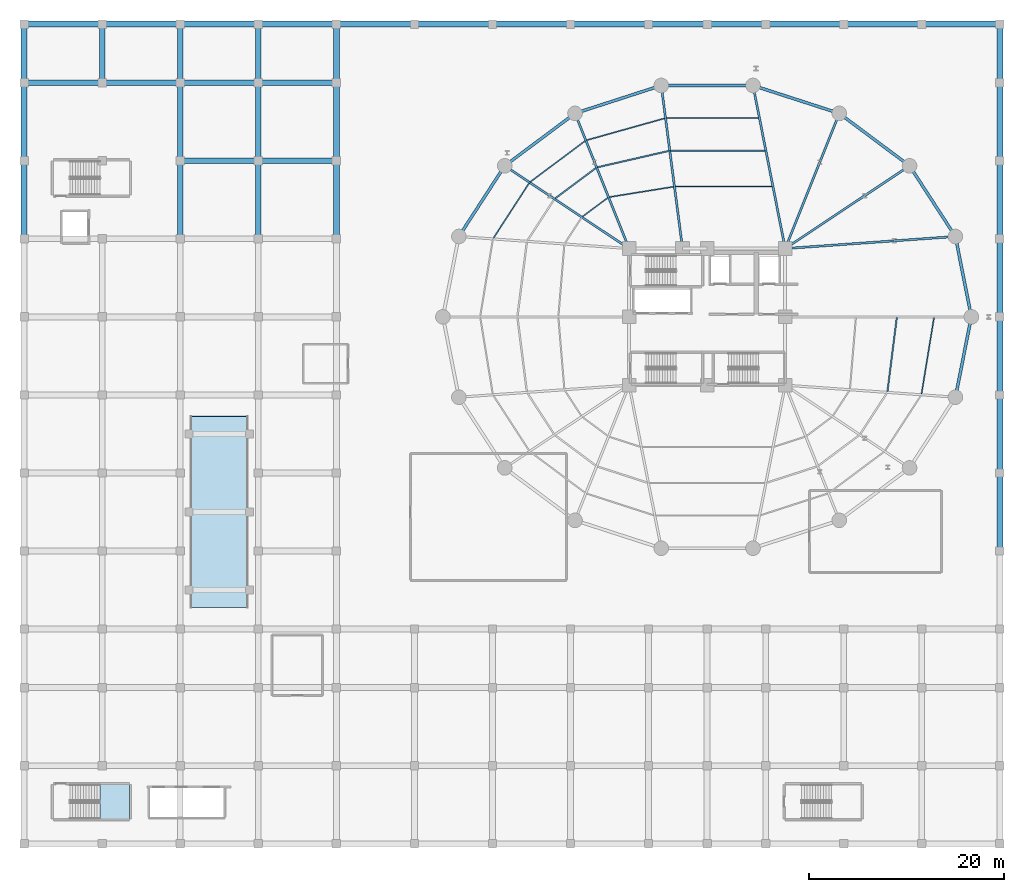
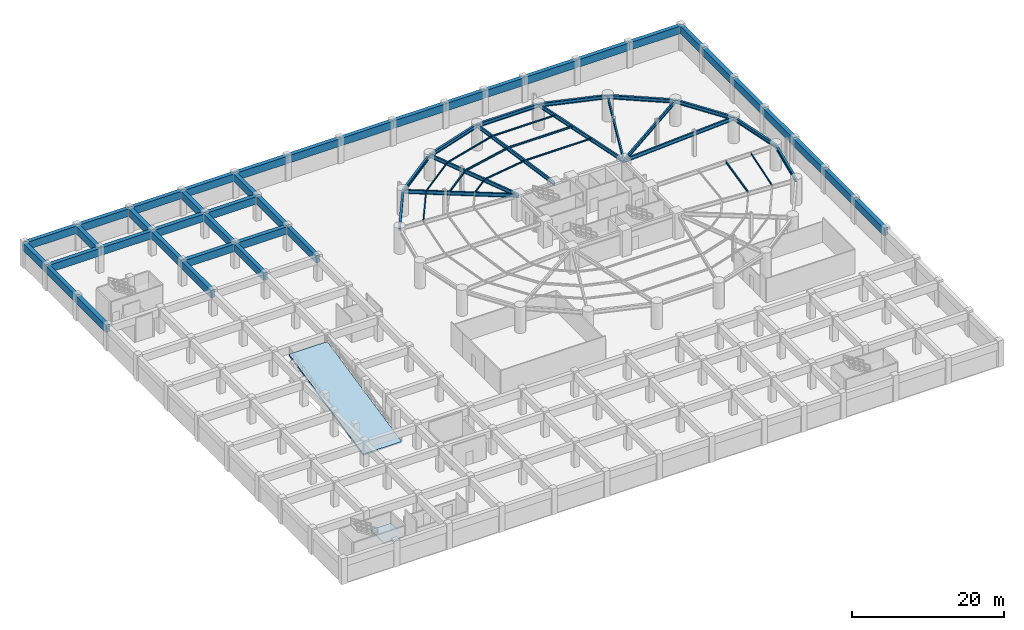
# One storey, part 7 of 20: 67 beams, 2 slabs, 1 element without a shape of its own.
"""IFC4 building model written with IfcOpenShell, lengths in metres."""

import ifcopenshell
import ifcopenshell.guid

model = None  # the IFC model being written
_history = None  # IfcOwnerHistory: only IFC2X3 demands one
_inside = {}  # id of a spatial element -> (the spatial element, [elements in it])
_under = {}  # id of a project, library or spatial element -> (it, [spatial elements below it])
_declared = {}  # id of a project -> (the project, [libraries it declares])
_typed = {}  # id of a type object -> (the type object, [elements of that type])
_made_of = {}  # id of a material, layer set ... -> (it, [elements and type objects made of it])


def new_model(schema):
    """Start an empty IFC model of exactly this schema.

    Asked for "IFC4X3", IfcOpenShell would pick the latest addendum, in which some entities
    have other attributes; the version numbers below select the first issue.
    IFC2X3 requires an IfcOwnerHistory on every rooted entity: one is made here for all.
    """
    global model, _history
    if schema == "IFC4X3":
        model = ifcopenshell.file(schema_version=(4, 3, 0, 0))
    else:
        model = ifcopenshell.file(schema=schema)
    _inside.clear()
    _under.clear()
    _declared.clear()
    _typed.clear()
    _made_of.clear()
    _history = None
    if model.schema == "IFC2X3":
        org = make("IfcOrganization", Name="unknown")
        user = make(
            "IfcPersonAndOrganization",
            ThePerson=make("IfcPerson", FamilyName="unknown"),
            TheOrganization=org,
        )
        app = make(
            "IfcApplication",
            ApplicationDeveloper=org,
            Version="unknown",
            ApplicationFullName="unknown",
            ApplicationIdentifier="unknown",
        )
        _history = make(
            "IfcOwnerHistory",
            OwningUser=user,
            OwningApplication=app,
            ChangeAction="ADDED",
            CreationDate=0,
        )
    return model


def make(cls, **values):
    """One entity of the class cls with the attributes given. An attribute that is None is left unset."""
    return model.create_entity(
        cls, **{name: value for name, value in values.items() if value is not None}
    )


def rooted(cls, **values):
    """An entity with a GlobalId (a new one), such as an element, a storey or a relation."""
    return make(cls, GlobalId=ifcopenshell.guid.new(), OwnerHistory=_history, **values)


def si_unit(unit_type, name, prefix=None):
    """IfcSIUnit, for example si_unit("LENGTHUNIT", "METRE", prefix="MILLI")."""
    return make("IfcSIUnit", UnitType=unit_type, Prefix=prefix, Name=name)


def assignment(units):
    """IfcUnitAssignment: the units of a project."""
    return None if units is None else make("IfcUnitAssignment", Units=units)


def point(xyz):
    """IfcCartesianPoint."""
    return None if xyz is None else make("IfcCartesianPoint", Coordinates=xyz)


def direction(xyz):
    """IfcDirection."""
    return None if xyz is None else make("IfcDirection", DirectionRatios=xyz)


def frame(location, z_axis=None, x_axis=None):
    """IfcAxis2Placement3D, a coordinate frame: its origin and axes. An axis left out is left unset."""
    return make(
        "IfcAxis2Placement3D",
        Location=point(location),
        Axis=direction(z_axis),
        RefDirection=direction(x_axis),
    )


def frame_2d(location, x_axis=None):
    """IfcAxis2Placement2D, a coordinate frame in the plane: its origin and x axis."""
    return make(
        "IfcAxis2Placement2D", Location=point(location), RefDirection=direction(x_axis)
    )


def origin():
    """The frame at (0, 0, 0) with its axes left unset."""
    return frame((0.0, 0.0, 0.0))


def origin_2d():
    """The frame at (0, 0) in the plane with its x axis left unset."""
    return frame_2d((0.0, 0.0))


def place(relative_to, where):
    """IfcLocalPlacement: puts the frame where relative to a parent placement (None: the world)."""
    return make(
        "IfcLocalPlacement", PlacementRelTo=relative_to, RelativePlacement=where
    )


def context(
    kind, dimensions, precision=None, world=None, true_north=None, identifier=None
):
    """IfcGeometricRepresentationContext, for example the 3D "Model" context."""
    return make(
        "IfcGeometricRepresentationContext",
        ContextIdentifier=identifier,
        ContextType=kind,
        CoordinateSpaceDimension=dimensions,
        Precision=precision,
        WorldCoordinateSystem=world,
        TrueNorth=true_north,
    )


def subcontext(parent, identifier, kind, view, scale=None):
    """IfcGeometricRepresentationSubContext, for example "Body" below "Model"."""
    return make(
        "IfcGeometricRepresentationSubContext",
        ContextIdentifier=identifier,
        ContextType=kind,
        ParentContext=parent,
        TargetScale=scale,
        TargetView=view,
    )


def project(units=None, contexts=None):
    """IfcProject with its units and contexts."""
    return rooted(
        "IfcProject",
        Name="project",
        RepresentationContexts=contexts,
        UnitsInContext=assignment(units),
    )


def spatial(cls, under=None, at=None, **own):
    """A site, building, storey or space (cls), placed at a placement, below another one or the project."""
    s = rooted(cls, ObjectPlacement=at, **own)
    if under is not None:
        _under.setdefault(under.id(), (under, []))[1].append(s)
    return s


def polyline(points):
    """IfcPolyline through the points."""
    return make("IfcPolyline", Points=[point(p) for p in points])


def profile(cls, at=None, kind="AREA", **sizes):
    """A parametric profile (cls). Its sizes go by their IFC names, for example OverallWidth=200.0."""
    return make(cls, ProfileType=kind, Position=at, **sizes)


def rectangle(**sizes):
    """IfcRectangleProfileDef."""
    return profile("IfcRectangleProfileDef", **sizes)


def i_section(**sizes):
    """IfcIShapeProfileDef."""
    return profile("IfcIShapeProfileDef", **sizes)


def outline(outer, holes=None, kind="AREA"):
    """IfcArbitraryClosedProfileDef: a profile drawn as a closed curve; with holes, ...WithVoids."""
    if holes is None:
        return make("IfcArbitraryClosedProfileDef", ProfileType=kind, OuterCurve=outer)
    return make(
        "IfcArbitraryProfileDefWithVoids",
        ProfileType=kind,
        OuterCurve=outer,
        InnerCurves=holes,
    )


def extrude(swept, where, along, depth):
    """IfcExtrudedAreaSolid: the profile swept, set in the frame where, extruded along a direction by depth."""
    return make(
        "IfcExtrudedAreaSolid",
        SweptArea=swept,
        Position=where,
        ExtrudedDirection=direction(along),
        Depth=depth,
    )


def shape(context_of_items, identifier, shape_type, items):
    """IfcShapeRepresentation: the items that make up one representation, for example the "Body"."""
    return make(
        "IfcShapeRepresentation",
        ContextOfItems=context_of_items,
        RepresentationIdentifier=identifier,
        RepresentationType=shape_type,
        Items=items,
    )


def material(Name=None, Category=None):
    """IfcMaterial."""
    return make("IfcMaterial", Name=Name, Category=Category)


def layer(
    of_material, thickness, ventilated=None, Name=None, Category=None, Priority=None
):
    """IfcMaterialLayer: one layer of a wall or slab, of a material (None: an air gap)."""
    return make(
        "IfcMaterialLayer",
        Material=of_material,
        LayerThickness=thickness,
        IsVentilated=ventilated,
        Name=Name,
        Category=Category,
        Priority=Priority,
    )


def layer_set(layers, Name=None):
    """IfcMaterialLayerSet."""
    return make("IfcMaterialLayerSet", MaterialLayers=layers, LayerSetName=Name)


def material_profile(
    of_material, cross_section, Name=None, Category=None, Priority=None
):
    """IfcMaterialProfile: a cross section and its material."""
    return make(
        "IfcMaterialProfile",
        Name=Name,
        Material=of_material,
        Profile=cross_section,
        Priority=Priority,
        Category=Category,
    )


def profile_set(profiles, Name=None, composite=None):
    """IfcMaterialProfileSet."""
    return make(
        "IfcMaterialProfileSet",
        Name=Name,
        MaterialProfiles=profiles,
        CompositeProfile=composite,
    )


def made_of(thing, what):
    """Note that an element or type object is made of a material, layer set ...; save() writes the relation."""
    if what is not None:
        _made_of.setdefault(what.id(), (what, []))[1].append(thing)
    return thing


def type_object(cls, material=None, **own):
    """A type object (cls), such as IfcWallType, which elements share."""
    return made_of(rooted(cls, **own), material)


def element(
    cls,
    number,
    at=None,
    inside=None,
    cuts=None,
    type_object=None,
    material=None,
    context=None,
    identifier="Body",
    shape_type=None,
    held_by="IfcProductDefinitionShape",
    body=None,
    shapes=None,
    **own,
):
    """One element of the class cls, such as IfcWall. Its Tag is "e" and its number.

    at: its placement. inside: the storey or other place that contains it. cuts: it is an
    opening in that element (IfcRelVoidsElement). A single representation is given by context,
    identifier, shape_type and body (its items); several are given by shapes. held_by: the class
    of the entity that holds the representations. save() writes the other relations.
    """
    e = rooted(cls, Tag="e%d" % number, ObjectPlacement=at, **own)
    if body is not None:
        shapes = [shape(context, identifier, shape_type, body)]
    if shapes is not None:
        e.Representation = make(held_by, Representations=shapes)
    if inside is not None:
        _inside.setdefault(inside.id(), (inside, []))[1].append(e)
    if cuts is not None:
        rooted(
            "IfcRelVoidsElement", RelatingBuildingElement=cuts, RelatedOpeningElement=e
        )
    if type_object is not None:
        _typed.setdefault(type_object.id(), (type_object, []))[1].append(e)
    return made_of(e, material)


def aggregate(whole, parts):
    """IfcRelAggregates: a whole, such as a stair, and the parts it consists of."""
    return rooted("IfcRelAggregates", RelatingObject=whole, RelatedObjects=parts)


def save(model, path):
    """Write the relations noted so far, then the file.

    IfcRelAggregates (storeys below a building ...), IfcRelContainedInSpatialStructure (elements
    in a storey), IfcRelDefinesByType, IfcRelAssociatesMaterial and IfcRelDeclares: one each for
    every whole, place, type object, material and project.
    """
    for whole, parts in _under.values():
        aggregate(whole, parts)
    for where, things in _inside.values():
        rooted(
            "IfcRelContainedInSpatialStructure",
            RelatedElements=things,
            RelatingStructure=where,
        )
    for kind, things in _typed.values():
        rooted("IfcRelDefinesByType", RelatedObjects=things, RelatingType=kind)
    for what, things in _made_of.values():
        rooted("IfcRelAssociatesMaterial", RelatedObjects=things, RelatingMaterial=what)
    for by, libraries in _declared.values():
        rooted("IfcRelDeclares", RelatingContext=by, RelatedDefinitions=libraries)
    model.write(path)


model = new_model("IFC4")

# Units and contexts
model_context = context("Model", 3, precision=1e-05, world=origin(), true_north=direction((0.0, 1.0)))
body_context = subcontext(model_context, "Body", "Model", "MODEL_VIEW")
ifc_project = project(units=[si_unit("LENGTHUNIT", "METRE"), si_unit("AREAUNIT", "SQUARE_METRE"), si_unit("VOLUMEUNIT", "CUBIC_METRE"), si_unit("PLANEANGLEUNIT", "RADIAN"), si_unit("MASSUNIT", "GRAM", prefix="KILO")], contexts=[model_context])

# Site, building, storey
site_placement = place(None, origin())
site = spatial("IfcSite", under=ifc_project, at=site_placement, CompositionType="ELEMENT")
building_placement = place(site_placement, origin())
building = spatial("IfcBuilding", under=site, at=building_placement, Name="Kelanora Arch Commons", CompositionType="ELEMENT")
storey_placement = place(building_placement, frame((0.0, 0.0, -4.199951171875)))
storey = spatial("IfcBuildingStorey", under=building, at=storey_placement, Name="B01", CompositionType="ELEMENT", Elevation=-4.199951171875)

# Beams
ifc_material_1 = material(Name="Concrete C45/55", Category="concrete")
ifc_material_profile_1 = material_profile(ifc_material_1, rectangle(XDim=0.60009765625, YDim=1.199951171875, at=origin_2d()), Name="RCB600x1200")
ifc_profile_set_1 = profile_set([ifc_material_profile_1], Name="Concrete C45/55")
beam_type_1 = type_object("IfcBeamType", Name="BM-BSMT-RC", PredefinedType="BEAM", material=ifc_profile_set_1)
for number, where, z_axis, x_axis, name in (
    (1, (4.0, 66.0, 3.300048828125), (0.0, 1.0, 0.0), (-1.0, 0.0, 0.0), "Market/Basement Frame Beam 018 B01"),
    (2, (4.0, 74.0, 3.300048828125), (0.0, 1.0, 0.0), (-1.0, 0.0, 0.0), "Market/Basement Frame Beam 019 B01"),
    (3, (4.0, 82.0, 3.300048828125), (1.0, 0.0, 0.0), (0.0, 1.0, 0.0), "Market/Basement Frame Beam 020 B01"),
):
    element("IfcBeam", number, at=place(storey_placement, frame(where, z_axis=z_axis, x_axis=x_axis)), inside=storey, type_object=beam_type_1, Name=name, PredefinedType="BEAM", context=body_context, shape_type="SweptSolid", body=[
        extrude(rectangle(XDim=0.60009765625, YDim=1.199951171875, at=origin_2d()), origin(), (0.0, 0.0, 1.0), 8.0),
    ])
beam_1_placement = place(storey_placement, frame((4.0, 82.0, 3.300048828125), z_axis=(0.0, 1.0, 0.0), x_axis=(-1.0, 0.0, 0.0)))
element("IfcBeam", 4, at=beam_1_placement, inside=storey, type_object=beam_type_1, Name="Market/Basement Frame Beam 021 B01", PredefinedType="BEAM", context=body_context, shape_type="SweptSolid", body=[
    extrude(rectangle(XDim=0.60009765625, YDim=1.199951171875, at=origin_2d()), origin(), (0.0, 0.0, 1.0), 6.0),
])
for number, where, z_axis, x_axis, name in (
    (5, (4.0, 88.0, 3.300048828125), (1.0, 0.0, 0.0), (0.0, 1.0, 0.0), "Market/Basement Frame Beam 022 B01"),
    (6, (12.0, 82.0, 3.300048828125), (1.0, 0.0, 0.0), (0.0, 1.0, 0.0), "Market/Basement Frame Beam 039 B01"),
):
    element("IfcBeam", number, at=place(storey_placement, frame(where, z_axis=z_axis, x_axis=x_axis)), inside=storey, type_object=beam_type_1, Name=name, PredefinedType="BEAM", context=body_context, shape_type="SweptSolid", body=[
        extrude(rectangle(XDim=0.60009765625, YDim=1.199951171875, at=origin_2d()), origin(), (0.0, 0.0, 1.0), 8.0),
    ])
beam_2_placement = place(storey_placement, frame((12.0, 82.0, 3.300048828125), z_axis=(0.0, 1.0, 0.0), x_axis=(-1.0, 0.0, 0.0)))
element("IfcBeam", 7, at=beam_2_placement, inside=storey, type_object=beam_type_1, Name="Market/Basement Frame Beam 040 B01", PredefinedType="BEAM", context=body_context, shape_type="SweptSolid", body=[
    extrude(rectangle(XDim=0.60009765625, YDim=1.199951171875, at=origin_2d()), origin(), (0.0, 0.0, 1.0), 6.0),
])
for number, where, z_axis, x_axis, name in (
    (8, (12.0, 88.0, 3.300048828125), (1.0, 0.0, 0.0), (0.0, 1.0, 0.0), "Market/Basement Frame Beam 041 B01"),
    (9, (20.0, 66.0, 3.300048828125), (0.0, 1.0, 0.0), (-1.0, 0.0, 0.0), "Market/Basement Frame Beam 057 B01"),
    (10, (20.0, 74.0, 3.300048828125), (1.0, 0.0, 0.0), (0.0, 1.0, 0.0), "Market/Basement Frame Beam 058 B01"),
    (11, (20.0, 74.0, 3.300048828125), (0.0, 1.0, 0.0), (-1.0, 0.0, 0.0), "Market/Basement Frame Beam 059 B01"),
    (12, (20.0, 82.0, 3.300048828125), (1.0, 0.0, 0.0), (0.0, 1.0, 0.0), "Market/Basement Frame Beam 060 B01"),
):
    element("IfcBeam", number, at=place(storey_placement, frame(where, z_axis=z_axis, x_axis=x_axis)), inside=storey, type_object=beam_type_1, Name=name, PredefinedType="BEAM", context=body_context, shape_type="SweptSolid", body=[
        extrude(rectangle(XDim=0.60009765625, YDim=1.199951171875, at=origin_2d()), origin(), (0.0, 0.0, 1.0), 8.0),
    ])
beam_3_placement = place(storey_placement, frame((20.0, 82.0, 3.300048828125), z_axis=(0.0, 1.0, 0.0), x_axis=(-1.0, 0.0, 0.0)))
element("IfcBeam", 13, at=beam_3_placement, inside=storey, type_object=beam_type_1, Name="Market/Basement Frame Beam 061 B01", PredefinedType="BEAM", context=body_context, shape_type="SweptSolid", body=[
    extrude(rectangle(XDim=0.60009765625, YDim=1.199951171875, at=origin_2d()), origin(), (0.0, 0.0, 1.0), 6.0),
])
for number, where, z_axis, x_axis, name in (
    (14, (20.0, 88.0, 3.300048828125), (1.0, 0.0, 0.0), (0.0, 1.0, 0.0), "Market/Basement Frame Beam 062 B01"),
    (15, (28.0, 66.0, 3.300048828125), (0.0, 1.0, 0.0), (-1.0, 0.0, 0.0), "Market/Basement Frame Beam 080 B01"),
    (16, (28.0, 74.0, 3.300048828125), (1.0, 0.0, 0.0), (0.0, 1.0, 0.0), "Market/Basement Frame Beam 081 B01"),
    (17, (28.0, 74.0, 3.300048828125), (0.0, 1.0, 0.0), (-1.0, 0.0, 0.0), "Market/Basement Frame Beam 082 B01"),
    (18, (28.0, 82.0, 3.300048828125), (1.0, 0.0, 0.0), (0.0, 1.0, 0.0), "Market/Basement Frame Beam 083 B01"),
):
    element("IfcBeam", number, at=place(storey_placement, frame(where, z_axis=z_axis, x_axis=x_axis)), inside=storey, type_object=beam_type_1, Name=name, PredefinedType="BEAM", context=body_context, shape_type="SweptSolid", body=[
        extrude(rectangle(XDim=0.60009765625, YDim=1.199951171875, at=origin_2d()), origin(), (0.0, 0.0, 1.0), 8.0),
    ])
beam_4_placement = place(storey_placement, frame((28.0, 82.0, 3.300048828125), z_axis=(0.0, 1.0, 0.0), x_axis=(-1.0, 0.0, 0.0)))
element("IfcBeam", 19, at=beam_4_placement, inside=storey, type_object=beam_type_1, Name="Market/Basement Frame Beam 084 B01", PredefinedType="BEAM", context=body_context, shape_type="SweptSolid", body=[
    extrude(rectangle(XDim=0.60009765625, YDim=1.199951171875, at=origin_2d()), origin(), (0.0, 0.0, 1.0), 6.0),
])
for number, where, z_axis, x_axis, name in (
    (20, (28.0, 88.0, 3.300048828125), (1.0, 0.0, 0.0), (0.0, 1.0, 0.0), "Market/Basement Frame Beam 085 B01"),
    (21, (36.0, 66.0, 3.300048828125), (0.0, 1.0, 0.0), (-1.0, 0.0, 0.0), "Market/Basement Frame Beam 098 B01"),
    (22, (36.0, 74.0, 3.300048828125), (0.0, 1.0, 0.0), (-1.0, 0.0, 0.0), "Market/Basement Frame Beam 099 B01"),
):
    element("IfcBeam", number, at=place(storey_placement, frame(where, z_axis=z_axis, x_axis=x_axis)), inside=storey, type_object=beam_type_1, Name=name, PredefinedType="BEAM", context=body_context, shape_type="SweptSolid", body=[
        extrude(rectangle(XDim=0.60009765625, YDim=1.199951171875, at=origin_2d()), origin(), (0.0, 0.0, 1.0), 8.0),
    ])
beam_5_placement = place(storey_placement, frame((36.0, 82.0, 3.300048828125), z_axis=(0.0, 1.0, 0.0), x_axis=(-1.0, 0.0, 0.0)))
element("IfcBeam", 23, at=beam_5_placement, inside=storey, type_object=beam_type_1, Name="Market/Basement Frame Beam 100 B01", PredefinedType="BEAM", context=body_context, shape_type="SweptSolid", body=[
    extrude(rectangle(XDim=0.60009765625, YDim=1.199951171875, at=origin_2d()), origin(), (0.0, 0.0, 1.0), 6.0),
])
for number, where, z_axis, x_axis, name in (
    (24, (36.0, 88.0, 3.300048828125), (1.0, 0.0, 0.0), (0.0, 1.0, 0.0), "Market/Basement Frame Beam 101 B01"),
    (25, (44.0, 88.0, 3.300048828125), (1.0, 0.0, 0.0), (0.0, 1.0, 0.0), "Market/Basement Frame Beam 109 B01"),
    (26, (52.0, 88.0, 3.300048828125), (1.0, 0.0, 0.0), (0.0, 1.0, 0.0), "Market/Basement Frame Beam 117 B01"),
    (27, (60.0, 88.0, 3.300048828125), (1.0, 0.0, 0.0), (0.0, 1.0, 0.0), "Market/Basement Frame Beam 125 B01"),
):
    element("IfcBeam", number, at=place(storey_placement, frame(where, z_axis=z_axis, x_axis=x_axis)), inside=storey, type_object=beam_type_1, Name=name, PredefinedType="BEAM", context=body_context, shape_type="SweptSolid", body=[
        extrude(rectangle(XDim=0.60009765625, YDim=1.199951171875, at=origin_2d()), origin(), (0.0, 0.0, 1.0), 8.0),
    ])
for number, where, z_axis, x_axis, name in (
    (28, (68.0, 88.0, 3.300048828125), (1.0, 0.0, 0.0), (0.0, 1.0, 0.0), "Market/Basement Frame Beam 133 B01"),
    (29, (74.0, 88.0, 3.300048828125), (1.0, 0.0, 0.0), (0.0, 1.0, 0.0), "Market/Basement Frame Beam 141 B01"),
):
    element("IfcBeam", number, at=place(storey_placement, frame(where, z_axis=z_axis, x_axis=x_axis)), inside=storey, type_object=beam_type_1, Name=name, PredefinedType="BEAM", context=body_context, shape_type="SweptSolid", body=[
        extrude(rectangle(XDim=0.60009765625, YDim=1.199951171875, at=origin_2d()), origin(), (0.0, 0.0, 1.0), 6.0),
    ])
for number, where, z_axis, x_axis, name in (
    (30, (80.0, 88.0, 3.300048828125), (1.0, 0.0, 0.0), (0.0, 1.0, 0.0), "Market/Basement Frame Beam 149 B01"),
    (31, (88.0, 88.0, 3.300048828125), (1.0, 0.0, 0.0), (0.0, 1.0, 0.0), "Market/Basement Frame Beam 156 B01"),
    (32, (96.0, 88.0, 3.300048828125), (1.0, 0.0, 0.0), (0.0, 1.0, 0.0), "Market/Basement Frame Beam 164 B01"),
    (33, (104.0, 34.0, 3.300048828125), (0.0, 1.0, 0.0), (-1.0, 0.0, 0.0), "Market/Basement Frame Beam 169 B01"),
    (34, (104.0, 42.0, 3.300048828125), (0.0, 1.0, 0.0), (-1.0, 0.0, 0.0), "Market/Basement Frame Beam 170 B01"),
    (35, (104.0, 50.0, 3.300048828125), (0.0, 1.0, 0.0), (-1.0, 0.0, 0.0), "Market/Basement Frame Beam 171 B01"),
    (36, (104.0, 58.0, 3.300048828125), (0.0, 1.0, 0.0), (-1.0, 0.0, 0.0), "Market/Basement Frame Beam 172 B01"),
    (37, (104.0, 66.0, 3.300048828125), (0.0, 1.0, 0.0), (-1.0, 0.0, 0.0), "Market/Basement Frame Beam 173 B01"),
    (38, (104.0, 74.0, 3.300048828125), (0.0, 1.0, 0.0), (-1.0, 0.0, 0.0), "Market/Basement Frame Beam 174 B01"),
):
    element("IfcBeam", number, at=place(storey_placement, frame(where, z_axis=z_axis, x_axis=x_axis)), inside=storey, type_object=beam_type_1, Name=name, PredefinedType="BEAM", context=body_context, shape_type="SweptSolid", body=[
        extrude(rectangle(XDim=0.60009765625, YDim=1.199951171875, at=origin_2d()), origin(), (0.0, 0.0, 1.0), 8.0),
    ])
beam_6_placement = place(storey_placement, frame((104.0, 82.0, 3.300048828125), z_axis=(0.0, 1.0, 0.0), x_axis=(-1.0, 0.0, 0.0)))
element("IfcBeam", 39, at=beam_6_placement, inside=storey, type_object=beam_type_1, Name="Market/Basement Frame Beam 175 B01", PredefinedType="BEAM", context=body_context, shape_type="SweptSolid", body=[
    extrude(rectangle(XDim=0.60009765625, YDim=1.199951171875, at=origin_2d()), origin(), (0.0, 0.0, 1.0), 6.0),
])
ifc_material_2 = material(Name="Steel S355", Category="steel")
ifc_material_profile_2 = material_profile(ifc_material_2, i_section(OverallWidth=0.14990234375, OverallDepth=0.300048828125, WebThickness=0.007080078125, FlangeThickness=0.0107421875, FilletRadius=0.014892578125, at=origin_2d()), Name="IPE300")
ifc_profile_set_2 = profile_set([ifc_material_profile_2], Name="Steel S355")
beam_type_2 = type_object("IfcBeamType", Name="BM-JST-01", PredefinedType="JOIST", material=ifc_profile_set_2)
beam_7_placement = place(storey_placement, frame((79.936279296875, 75.028564453125, 3.75), z_axis=(-1.0, 0.0, 0.0), x_axis=(0.0, -1.0, 0.0)))
element("IfcBeam", 40, at=beam_7_placement, inside=storey, type_object=beam_type_2, Name="Secondary Chord Joist BJB-08 B01", PredefinedType="JOIST", context=body_context, shape_type="SweptSolid", body=[
    extrude(i_section(OverallWidth=0.14990234375, OverallDepth=0.300048828125, WebThickness=0.007080078125, FlangeThickness=0.0107421875, FilletRadius=0.014892578125, at=origin_2d()), origin(), (0.0, 0.0, 1.0), 9.6806640625),
])
beam_8_placement = place(storey_placement, frame((70.087646484375, 75.009521484375, 3.75), z_axis=(-0.974770159254, -0.223210968877, 0.0), x_axis=(0.223210968877, -0.974770159254, 0.0)))
element("IfcBeam", 41, at=beam_8_placement, inside=storey, type_object=beam_type_2, Name="Secondary Chord Joist BJB-10 B01", PredefinedType="JOIST", context=body_context, shape_type="SweptSolid", body=[
    extrude(i_section(OverallWidth=0.14990234375, OverallDepth=0.300048828125, WebThickness=0.007080078125, FlangeThickness=0.0107421875, FilletRadius=0.014892578125, at=origin_2d()), origin(), (0.0, 0.0, 1.0), 7.5185546875),
])
beam_9_placement = place(storey_placement, frame((62.60791015625, 73.261474609375, 3.75), z_axis=(-0.801478251559, -0.598023922831, 0.0), x_axis=(0.598023922831, -0.801478251559, 0.0)))
element("IfcBeam", 42, at=beam_9_placement, inside=storey, type_object=beam_type_2, Name="Secondary Chord Joist BJB-12 B01", PredefinedType="JOIST", context=body_context, shape_type="SweptSolid", body=[
    extrude(i_section(OverallWidth=0.14990234375, OverallDepth=0.300048828125, WebThickness=0.007080078125, FlangeThickness=0.0107421875, FilletRadius=0.014892578125, at=origin_2d()), origin(), (0.0, 0.0, 1.0), 5.223388671875),
])
beam_10_placement = place(storey_placement, frame((92.478759765625, 50.3427734375, 3.75), z_axis=(0.125565841651, 0.992085288375, 0.0), x_axis=(-0.992085288375, 0.125565841651, 0.0)))
element("IfcBeam", 43, at=beam_10_placement, inside=storey, type_object=beam_type_2, Name="Secondary Chord Joist BJB-34 B01", PredefinedType="JOIST", context=body_context, shape_type="SweptSolid", body=[
    extrude(i_section(OverallWidth=0.14990234375, OverallDepth=0.300048828125, WebThickness=0.007080078125, FlangeThickness=0.0107421875, FilletRadius=0.014892578125, at=origin_2d()), origin(), (0.0, 0.0, 1.0), 7.63330078125),
])
ifc_material_profile_3 = material_profile(ifc_material_2, i_section(OverallWidth=0.1201171875, OverallDepth=0.239990234375, WebThickness=0.006103515625, FlangeThickness=0.009765625, FilletRadius=0.014892578125, at=origin_2d()), Name="IPE240")
ifc_profile_set_3 = profile_set([ifc_material_profile_3], Name="Steel S355")
beam_type_3 = type_object("IfcBeamType", Name="BM-JST-02", PredefinedType="JOIST", material=ifc_profile_set_3)
beam_11_placement = place(storey_placement, frame((80.661865234375, 71.351318359375, 3.780029296875), z_axis=(-1.0, 0.0, 0.0), x_axis=(0.0, -1.0, 0.0)))
element("IfcBeam", 44, at=beam_11_placement, inside=storey, type_object=beam_type_3, Name="Secondary Chord Joist BJA-08 B01", PredefinedType="JOIST", context=body_context, shape_type="SweptSolid", body=[
    extrude(i_section(OverallWidth=0.1201171875, OverallDepth=0.239990234375, WebThickness=0.006103515625, FlangeThickness=0.009765625, FilletRadius=0.014892578125, at=origin_2d()), origin(), (0.0, 0.0, 1.0), 9.92626953125),
])
beam_12_placement = place(storey_placement, frame((79.27685546875, 78.371337890625, 3.780029296875), z_axis=(-1.0, 0.0, 0.0), x_axis=(0.0, -1.0, 0.0)))
element("IfcBeam", 45, at=beam_12_placement, inside=storey, type_object=beam_type_3, Name="Secondary Chord Joist BJC-08 B01", PredefinedType="JOIST", context=body_context, shape_type="SweptSolid", body=[
    extrude(i_section(OverallWidth=0.1201171875, OverallDepth=0.239990234375, WebThickness=0.006103515625, FlangeThickness=0.009765625, FilletRadius=0.014892578125, at=origin_2d()), origin(), (0.0, 0.0, 1.0), 9.457763671875),
])
beam_13_placement = place(storey_placement, frame((70.56689453125, 71.337890625, 3.780029296875), z_axis=(-0.987306715654, -0.158825215959, 0.0), x_axis=(0.158825215959, -0.987306715654, 0.0)))
element("IfcBeam", 46, at=beam_13_placement, inside=storey, type_object=beam_type_3, Name="Secondary Chord Joist BJA-10 B01", PredefinedType="JOIST", context=body_context, shape_type="SweptSolid", body=[
    extrude(i_section(OverallWidth=0.1201171875, OverallDepth=0.239990234375, WebThickness=0.006103515625, FlangeThickness=0.009765625, FilletRadius=0.014892578125, at=origin_2d()), origin(), (0.0, 0.0, 1.0), 6.6728515625),
])
beam_14_placement = place(storey_placement, frame((69.652099609375, 78.348388671875, 3.780029296875), z_axis=(-0.962914880978, -0.269805359456, 0.0), x_axis=(0.269805359456, -0.962914880978, 0.0)))
element("IfcBeam", 47, at=beam_14_placement, inside=storey, type_object=beam_type_3, Name="Secondary Chord Joist BJC-10 B01", PredefinedType="JOIST", context=body_context, shape_type="SweptSolid", body=[
    extrude(i_section(OverallWidth=0.1201171875, OverallDepth=0.239990234375, WebThickness=0.006103515625, FlangeThickness=0.009765625, FilletRadius=0.014892578125, at=origin_2d()), origin(), (0.0, 0.0, 1.0), 8.310302734375),
])
beam_15_placement = place(storey_placement, frame((63.82666015625, 70.213623046875, 3.780029296875), z_axis=(-0.801513822608, -0.59797624716, 0.0), x_axis=(0.59797624716, -0.801513822608, 0.0)))
element("IfcBeam", 48, at=beam_15_placement, inside=storey, type_object=beam_type_3, Name="Secondary Chord Joist BJA-12 B01", PredefinedType="JOIST", context=body_context, shape_type="SweptSolid", body=[
    extrude(i_section(OverallWidth=0.1201171875, OverallDepth=0.239990234375, WebThickness=0.006103515625, FlangeThickness=0.009765625, FilletRadius=0.014892578125, at=origin_2d()), origin(), (0.0, 0.0, 1.0), 3.245849609375),
])
beam_16_placement = place(storey_placement, frame((61.5, 76.0322265625, 3.780029296875), z_axis=(-0.80149131963, -0.598006408459, 0.0), x_axis=(0.598006408459, -0.80149131963, 0.0)))
element("IfcBeam", 49, at=beam_16_placement, inside=storey, type_object=beam_type_3, Name="Secondary Chord Joist BJC-12 B01", PredefinedType="JOIST", context=body_context, shape_type="SweptSolid", body=[
    extrude(i_section(OverallWidth=0.1201171875, OverallDepth=0.239990234375, WebThickness=0.006103515625, FlangeThickness=0.009765625, FilletRadius=0.014892578125, at=origin_2d()), origin(), (0.0, 0.0, 1.0), 7.021240234375),
])
beam_17_placement = place(storey_placement, frame((55.758056640625, 71.711181640625, 3.780029296875), z_axis=(-0.544550165372, -0.838728273873, 0.0), x_axis=(0.838728273873, -0.544550165372, 0.0)))
element("IfcBeam", 50, at=beam_17_placement, inside=storey, type_object=beam_type_3, Name="Secondary Chord Joist BJC-14 B01", PredefinedType="JOIST", context=body_context, shape_type="SweptSolid", body=[
    extrude(i_section(OverallWidth=0.1201171875, OverallDepth=0.239990234375, WebThickness=0.006103515625, FlangeThickness=0.009765625, FilletRadius=0.014892578125, at=origin_2d()), origin(), (0.0, 0.0, 1.0), 6.738037109375),
])
beam_18_placement = place(storey_placement, frame((95.97119140625, 50.09521484375, 3.780029296875), z_axis=(0.161400737199, 0.986888951216, 0.0), x_axis=(-0.986888951216, 0.161400737199, 0.0)))
element("IfcBeam", 51, at=beam_18_placement, inside=storey, type_object=beam_type_3, Name="Secondary Chord Joist BJC-34 B01", PredefinedType="JOIST", context=body_context, shape_type="SweptSolid", body=[
    extrude(i_section(OverallWidth=0.1201171875, OverallDepth=0.239990234375, WebThickness=0.006103515625, FlangeThickness=0.009765625, FilletRadius=0.014892578125, at=origin_2d()), origin(), (0.0, 0.0, 1.0), 7.9248046875),
])
ifc_material_profile_4 = material_profile(ifc_material_2, i_section(OverallWidth=0.219970703125, OverallDepth=0.60009765625, WebThickness=0.011962890625, FlangeThickness=0.01904296875, FilletRadius=0.02392578125, at=origin_2d()), Name="IPE600")
ifc_profile_set_4 = profile_set([ifc_material_profile_4], Name="Steel S355")
beam_type_4 = type_object("IfcBeamType", Name="BM-RAD-Z1", PredefinedType="BEAM", material=ifc_profile_set_4)
beam_19_placement = place(storey_placement, frame((82.0, 65.0, 3.599853515625), z_axis=(0.997500683472, 0.070656821848, 0.0), x_axis=(-0.070656821848, 0.997500683472, 0.0)))
element("IfcBeam", 52, at=beam_19_placement, inside=storey, type_object=beam_type_4, Name="Radial Floor Girder BR-02 B01", PredefinedType="BEAM", context=body_context, shape_type="SweptSolid", body=[
    extrude(i_section(OverallWidth=0.219970703125, OverallDepth=0.60009765625, WebThickness=0.011962890625, FlangeThickness=0.01904296875, FilletRadius=0.02392578125, at=origin_2d()), origin(), (0.0, 0.0, 1.0), 17.49072265625),
])
beam_20_placement = place(storey_placement, frame((82.0, 65.0, 3.599853515625), z_axis=(0.832592187754, 0.553886494591, 0.0), x_axis=(-0.553886494591, 0.832592187754, 0.0)))
element("IfcBeam", 53, at=beam_20_placement, inside=storey, type_object=beam_type_4, Name="Radial Floor Girder BR-04 B01", PredefinedType="BEAM", context=body_context, shape_type="SweptSolid", body=[
    extrude(i_section(OverallWidth=0.219970703125, OverallDepth=0.60009765625, WebThickness=0.011962890625, FlangeThickness=0.01904296875, FilletRadius=0.02392578125, at=origin_2d()), origin(), (0.0, 0.0, 1.0), 15.306884765625),
])
beam_21_placement = place(storey_placement, frame((82.0, 65.0, 3.599853515625), z_axis=(0.371300398117, 0.928512797089, 0.0), x_axis=(-0.928512797089, 0.371300398117, 0.0)))
element("IfcBeam", 54, at=beam_21_placement, inside=storey, type_object=beam_type_4, Name="Radial Floor Girder BR-06 B01", PredefinedType="BEAM", context=body_context, shape_type="SweptSolid", body=[
    extrude(i_section(OverallWidth=0.219970703125, OverallDepth=0.60009765625, WebThickness=0.011962890625, FlangeThickness=0.01904296875, FilletRadius=0.02392578125, at=origin_2d()), origin(), (0.0, 0.0, 1.0), 14.920654296875),
])
beam_22_placement = place(storey_placement, frame((82.0, 65.0, 3.599853515625), z_axis=(-0.19356352044, 0.981087745084, 0.0), x_axis=(-0.981087745084, -0.19356352044, 0.0)))
element("IfcBeam", 55, at=beam_22_placement, inside=storey, type_object=beam_type_4, Name="Radial Floor Girder BR-08 B01", PredefinedType="BEAM", context=body_context, shape_type="SweptSolid", body=[
    extrude(i_section(OverallWidth=0.219970703125, OverallDepth=0.60009765625, WebThickness=0.011962890625, FlangeThickness=0.01904296875, FilletRadius=0.02392578125, at=origin_2d()), origin(), (0.0, 0.0, 1.0), 17.036376953125),
])
beam_23_placement = place(storey_placement, frame((71.47998046875, 65.0, 3.599853515625), z_axis=(-0.129471691865, 0.991583118556, 0.0), x_axis=(-0.991583118556, -0.129471691865, 0.0)))
element("IfcBeam", 56, at=beam_23_placement, inside=storey, type_object=beam_type_4, Name="Radial Floor Girder BR-10 B01", PredefinedType="BEAM", context=body_context, shape_type="SweptSolid", body=[
    extrude(i_section(OverallWidth=0.219970703125, OverallDepth=0.60009765625, WebThickness=0.011962890625, FlangeThickness=0.01904296875, FilletRadius=0.02392578125, at=origin_2d()), origin(), (0.0, 0.0, 1.0), 16.85595703125),
])
beam_24_placement = place(storey_placement, frame((66.0, 65.0, 3.599853515625), z_axis=(-0.371300398117, 0.928512797089, 0.0), x_axis=(-0.928512797089, -0.371300398117, 0.0)))
element("IfcBeam", 57, at=beam_24_placement, inside=storey, type_object=beam_type_4, Name="Radial Floor Girder BR-12 B01", PredefinedType="BEAM", context=body_context, shape_type="SweptSolid", body=[
    extrude(i_section(OverallWidth=0.219970703125, OverallDepth=0.60009765625, WebThickness=0.011962890625, FlangeThickness=0.01904296875, FilletRadius=0.02392578125, at=origin_2d()), origin(), (0.0, 0.0, 1.0), 14.920654296875),
])
beam_25_placement = place(storey_placement, frame((66.0, 65.0, 3.599853515625), z_axis=(-0.832592187754, 0.553886494591, 0.0), x_axis=(-0.553886494591, -0.832592187754, 0.0)))
element("IfcBeam", 58, at=beam_25_placement, inside=storey, type_object=beam_type_4, Name="Radial Floor Girder BR-14 B01", PredefinedType="BEAM", context=body_context, shape_type="SweptSolid", body=[
    extrude(i_section(OverallWidth=0.219970703125, OverallDepth=0.60009765625, WebThickness=0.011962890625, FlangeThickness=0.01904296875, FilletRadius=0.02392578125, at=origin_2d()), origin(), (0.0, 0.0, 1.0), 15.306884765625),
])
ifc_material_profile_5 = material_profile(ifc_material_2, i_section(OverallWidth=0.300048828125, OverallDepth=0.60009765625, WebThickness=0.015380859375, FlangeThickness=0.030029296875, FilletRadius=0.027099609375, at=origin_2d()), Name="HEB600")
ifc_profile_set_5 = profile_set([ifc_material_profile_5], Name="Steel S355")
beam_type_5 = type_object("IfcBeamType", Name="BM-SPN-Z1", PredefinedType="SPANDREL", material=ifc_profile_set_5)
beam_26_placement = place(storey_placement, frame((101.080078125, 58.0, 3.599853515625), z_axis=(-0.194499827256, 0.980902552345, 0.0), x_axis=(-0.980902552345, -0.194499827256, 0.0)))
element("IfcBeam", 59, at=beam_26_placement, inside=storey, type_object=beam_type_5, Name="Perimeter Spandrel Beam BS-00 B01", PredefinedType="SPANDREL", context=body_context, shape_type="SweptSolid", body=[
    extrude(i_section(OverallWidth=0.300048828125, OverallDepth=0.60009765625, WebThickness=0.015380859375, FlangeThickness=0.030029296875, FilletRadius=0.027099609375, at=origin_2d()), origin(), (0.0, 0.0, 1.0), 8.396240234375),
])
beam_27_placement = place(storey_placement, frame((99.447021484375, 66.23583984375, 3.599853515625), z_axis=(-0.544585813928, 0.838705127722, 0.0), x_axis=(-0.838705127722, -0.544585813928, 0.0)))
element("IfcBeam", 60, at=beam_27_placement, inside=storey, type_object=beam_type_5, Name="Perimeter Spandrel Beam BS-02 B01", PredefinedType="SPANDREL", context=body_context, shape_type="SweptSolid", body=[
    extrude(i_section(OverallWidth=0.300048828125, OverallDepth=0.60009765625, WebThickness=0.015380859375, FlangeThickness=0.030029296875, FilletRadius=0.027099609375, at=origin_2d()), origin(), (0.0, 0.0, 1.0), 8.63525390625),
])
beam_28_placement = place(storey_placement, frame((94.744384765625, 73.478271484375, 3.599853515625), z_axis=(-0.801467504127, 0.598038326388, 0.0), x_axis=(-0.598038326388, -0.801467504127, 0.0)))
element("IfcBeam", 61, at=beam_28_placement, inside=storey, type_object=beam_type_5, Name="Perimeter Spandrel Beam BS-04 B01", PredefinedType="SPANDREL", context=body_context, shape_type="SweptSolid", body=[
    extrude(i_section(OverallWidth=0.300048828125, OverallDepth=0.60009765625, WebThickness=0.015380859375, FlangeThickness=0.030029296875, FilletRadius=0.027099609375, at=origin_2d()), origin(), (0.0, 0.0, 1.0), 8.989013671875),
])
beam_29_placement = place(storey_placement, frame((87.5400390625, 78.85400390625, 3.599853515625), z_axis=(-0.951417120402, 0.307904957748, 0.0), x_axis=(-0.307904957748, -0.951417120402, 0.0)))
element("IfcBeam", 62, at=beam_29_placement, inside=storey, type_object=beam_type_5, Name="Perimeter Spandrel Beam BS-06 B01", PredefinedType="SPANDREL", context=body_context, shape_type="SweptSolid", body=[
    extrude(i_section(OverallWidth=0.300048828125, OverallDepth=0.60009765625, WebThickness=0.015380859375, FlangeThickness=0.030029296875, FilletRadius=0.027099609375, at=origin_2d()), origin(), (0.0, 0.0, 1.0), 9.288818359375),
])
beam_30_placement = place(storey_placement, frame((78.702392578125, 81.714111328125, 3.599853515625), z_axis=(-1.0, 0.0, 0.0), x_axis=(0.0, -1.0, 0.0)))
element("IfcBeam", 63, at=beam_30_placement, inside=storey, type_object=beam_type_5, Name="Perimeter Spandrel Beam BS-08 B01", PredefinedType="SPANDREL", context=body_context, shape_type="SweptSolid", body=[
    extrude(i_section(OverallWidth=0.300048828125, OverallDepth=0.60009765625, WebThickness=0.015380859375, FlangeThickness=0.030029296875, FilletRadius=0.027099609375, at=origin_2d()), origin(), (0.0, 0.0, 1.0), 9.40478515625),
])
beam_31_placement = place(storey_placement, frame((69.297607421875, 81.714111328125, 3.599853515625), z_axis=(-0.951417120402, -0.307904957748, 0.0), x_axis=(0.307904957748, -0.951417120402, 0.0)))
element("IfcBeam", 64, at=beam_31_placement, inside=storey, type_object=beam_type_5, Name="Perimeter Spandrel Beam BS-10 B01", PredefinedType="SPANDREL", context=body_context, shape_type="SweptSolid", body=[
    extrude(i_section(OverallWidth=0.300048828125, OverallDepth=0.60009765625, WebThickness=0.015380859375, FlangeThickness=0.030029296875, FilletRadius=0.027099609375, at=origin_2d()), origin(), (0.0, 0.0, 1.0), 9.288818359375),
])
beam_32_placement = place(storey_placement, frame((60.4599609375, 78.85400390625, 3.599853515625), z_axis=(-0.801467504127, -0.598038326388, 0.0), x_axis=(0.598038326388, -0.801467504127, 0.0)))
element("IfcBeam", 65, at=beam_32_placement, inside=storey, type_object=beam_type_5, Name="Perimeter Spandrel Beam BS-12 B01", PredefinedType="SPANDREL", context=body_context, shape_type="SweptSolid", body=[
    extrude(i_section(OverallWidth=0.300048828125, OverallDepth=0.60009765625, WebThickness=0.015380859375, FlangeThickness=0.030029296875, FilletRadius=0.027099609375, at=origin_2d()), origin(), (0.0, 0.0, 1.0), 8.989013671875),
])
beam_33_placement = place(storey_placement, frame((53.255615234375, 73.478271484375, 3.599853515625), z_axis=(-0.544585813928, -0.838705127722, 0.0), x_axis=(0.838705127722, -0.544585813928, 0.0)))
element("IfcBeam", 66, at=beam_33_placement, inside=storey, type_object=beam_type_5, Name="Perimeter Spandrel Beam BS-14 B01", PredefinedType="SPANDREL", context=body_context, shape_type="SweptSolid", body=[
    extrude(i_section(OverallWidth=0.300048828125, OverallDepth=0.60009765625, WebThickness=0.015380859375, FlangeThickness=0.030029296875, FilletRadius=0.027099609375, at=origin_2d()), origin(), (0.0, 0.0, 1.0), 8.63525390625),
])
beam_34_placement = place(storey_placement, frame((99.447021484375, 49.76416015625, 3.599853515625), z_axis=(0.194499827256, 0.980902552345, 0.0), x_axis=(-0.980902552345, 0.194499827256, 0.0)))
element("IfcBeam", 67, at=beam_34_placement, inside=storey, type_object=beam_type_5, Name="Perimeter Spandrel Beam BS-34 B01", PredefinedType="SPANDREL", context=body_context, shape_type="SweptSolid", body=[
    extrude(i_section(OverallWidth=0.300048828125, OverallDepth=0.60009765625, WebThickness=0.015380859375, FlangeThickness=0.030029296875, FilletRadius=0.027099609375, at=origin_2d()), origin(), (0.0, 0.0, 1.0), 8.396240234375),
])

# Stair, slab
ifc_material_3 = material(Name="Concrete C40/50", Category="concrete")
stair_type = type_object("IfcStairType", Name="STR-DL-420", PredefinedType="HALF_TURN_STAIR", material=ifc_material_3)
stair_placement = place(storey_placement, origin())
stair = element("IfcStair", 68, at=stair_placement, inside=storey, type_object=stair_type, Name="B01 ST-M1", PredefinedType="HALF_TURN_STAIR")
ifc_layer_1 = layer(ifc_material_3, 0.199951171875)
ifc_layer_set_1 = layer_set([ifc_layer_1], Name="Concrete C40/50")
slab_type_1 = type_object("IfcSlabType", Name="SLB-STAIR-LND", PredefinedType="LANDING", material=ifc_layer_set_1)
slab_1_placement = place(storey_placement, frame((0.0, 0.0, 1.89990234375)))
slab_1 = element("IfcSlab", 69, at=slab_1_placement, type_object=slab_type_1, Name="ST-M1 landing 1", PredefinedType="LANDING", context=body_context, shape_type="SweptSolid", body=[
    extrude(outline(polyline([(11.760009765625, 6.56005859375), (14.800048828125, 6.56005859375), (14.800048828125, 10.070068359375), (11.760009765625, 10.070068359375), (11.760009765625, 6.56005859375)])), origin(), (0.0, 0.0, 1.0), 0.199951171875),
])
aggregate(stair, [slab_1])

# Slab
ifc_layer_2 = layer(ifc_material_3, 0.280029296875)
ifc_layer_set_2 = layer_set([ifc_layer_2], Name="Concrete C40/50")
slab_type_2 = type_object("IfcSlabType", Name="SLB-VEH-RAMP", PredefinedType="FLOOR", material=ifc_layer_set_2)
slab_2_placement = place(storey_placement, frame((21.080078125, 28.199951171875, 0.0), z_axis=(0.0, -0.209525761618, 0.977803127024), x_axis=(1.0, 0.0, 0.0)))
element("IfcSlab", 70, at=slab_2_placement, inside=storey, type_object=slab_type_2, Name="Basement Two-Way Structural Concrete Vehicle Ramp Slab B01", PredefinedType="FLOOR", context=body_context, shape_type="SweptSolid", body=[
    extrude(outline(polyline([(0.0, 0.0), (5.83984375, 0.0), (5.83984375, 20.045034746307397), (0.0, 20.045034746307397), (0.0, 0.0)])), origin(), (0.0, 0.0, -1.0), 0.280029296875),
])

save(model, "model.ifc")
